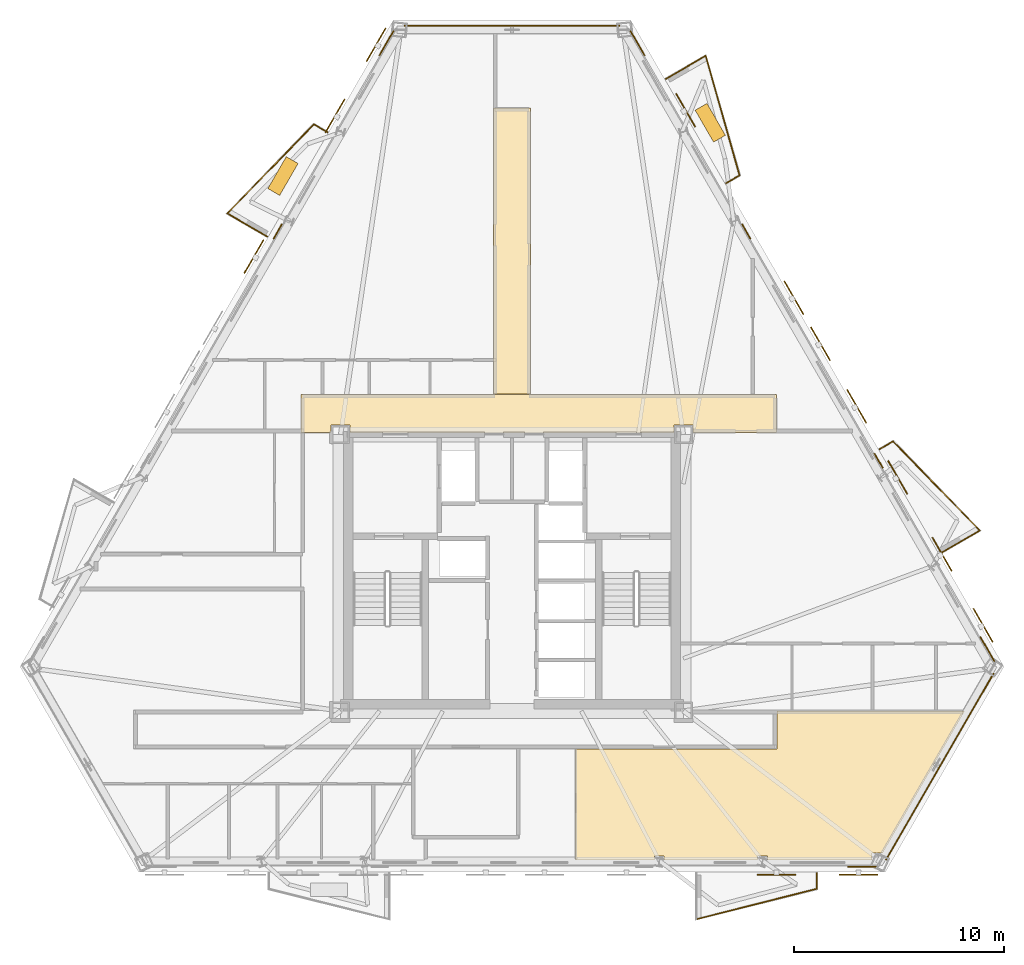
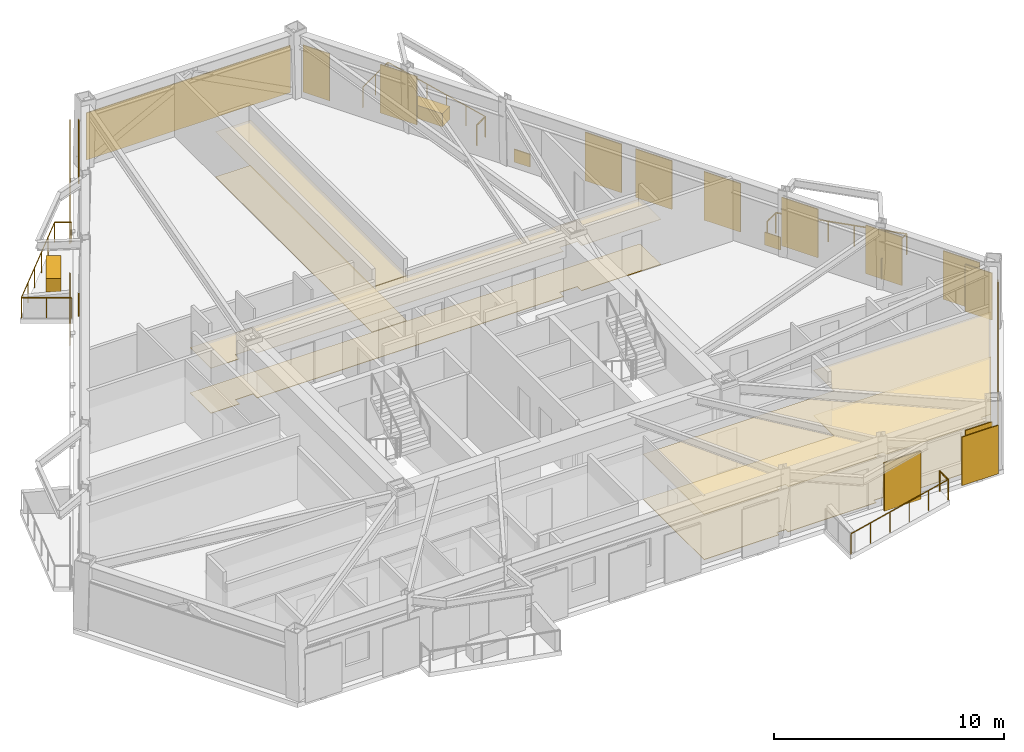
# One storey, part 9 of 9: 17 coverings, 12 shading devices, 11 railings.
"""IFC4 building model written with IfcOpenShell, lengths in metres."""

from ifc_helpers import new_model, si_unit, direction, frame, origin, origin_2d, place, context, subcontext, project, spatial, polyline, rectangle, circle, outline, extrude, material, layer, layer_set, type_object, element, save


model = new_model("IFC4")

# Units and contexts
model_context = context("Model", 3, precision=1e-05, world=origin(), true_north=direction((0.0, 1.0)))
body_context = subcontext(model_context, "Body", "Model", "MODEL_VIEW")
ifc_project = project(units=[si_unit("LENGTHUNIT", "METRE"), si_unit("AREAUNIT", "SQUARE_METRE"), si_unit("VOLUMEUNIT", "CUBIC_METRE"), si_unit("PLANEANGLEUNIT", "RADIAN"), si_unit("MASSUNIT", "GRAM", prefix="KILO")], contexts=[model_context])

# Site, building, storey
site_placement = place(None, origin())
site = spatial("IfcSite", under=ifc_project, at=site_placement, CompositionType="ELEMENT")
building_placement = place(site_placement, origin())
building = spatial("IfcBuilding", under=site, at=building_placement, Name="Oramaril Tower", CompositionType="ELEMENT")
storey_placement = place(building_placement, frame((0.0, 0.0, 123.0)))
storey = spatial("IfcBuildingStorey", under=building, at=storey_placement, Name="L32", CompositionType="ELEMENT", Elevation=123.0)

# Coverings
ifc_material_1 = material(Name="Mineral Fibre Acoustic Ceiling")
ifc_layer_1 = layer(ifc_material_1, 0.02001953125)
ifc_layer_set_1 = layer_set([ifc_layer_1], Name="CVT-CEIL")
covering_type_1 = type_object("IfcCoveringType", Name="CVT-CEIL", PredefinedType="CEILING", material=ifc_layer_set_1)
covering_1_placement = place(storey_placement, frame((0.0, 0.0, 2.39990234375)))
element("IfcCovering", 1, at=covering_1_placement, inside=storey, type_object=covering_type_1, Name="L32 Acoustic Suspended Ceiling 2", PredefinedType="CEILING", context=body_context, shape_type="SweptSolid", body=[
    extrude(outline(polyline([(50.080078125, 24.239990234375), (46.094970703125, 24.239990234375), (46.094970703125, 24.594970703125), (45.205078125, 24.594970703125), (45.205078125, 24.25), (29.794921875, 24.25), (29.794921875, 24.594970703125), (28.905029296875, 24.594970703125), (28.905029296875, 24.239990234375), (27.469970703125, 24.239990234375), (27.469970703125, 26.050048828125), (50.080078125, 26.050048828125), (50.080078125, 24.239990234375)])), origin(), (0.0, 0.0, 1.0), 0.02001953125),
])
covering_2_placement = place(storey_placement, frame((0.0, 0.0, 2.39990234375)))
element("IfcCovering", 2, at=covering_2_placement, inside=storey, type_object=covering_type_1, Name="L32 Acoustic Suspended Ceiling 4", PredefinedType="CEILING", context=body_context, shape_type="SweptSolid", body=[
    extrude(outline(polyline([(38.3798828125, 26.070068359375), (36.6201171875, 26.070068359375), (36.6201171875, 39.679931640625), (38.3798828125, 39.679931640625), (38.3798828125, 26.070068359375)])), origin(), (0.0, 0.0, 1.0), 0.02001953125),
])
covering_3_placement = place(storey_placement, frame((0.0, 0.0, 2.39990234375)))
element("IfcCovering", 3, at=covering_3_placement, inside=storey, type_object=covering_type_1, Name="L32 Acoustic Suspended Ceiling 7", PredefinedType="CEILING", context=body_context, shape_type="SweptSolid", body=[
    extrude(outline(polyline([(55.124267578125, 4.248291015625), (54.617919921875, 4.248291015625), (54.617919921875, 3.904052734375), (49.6396484375, 3.904052734375), (49.6396484375, 4.101318359375), (49.168701171875, 4.101318359375), (49.168701171875, 3.904052734375), (44.73291015625, 3.904052734375), (44.73291015625, 4.101318359375), (44.272216796875, 4.101318359375), (44.272216796875, 3.904052734375), (40.510498046875, 3.904052734375), (40.510498046875, 9.199951171875), (50.080078125, 9.199951171875), (50.08203125, 9.2001953125), (50.083984375, 9.200439453125), (50.085693359375, 9.200927734375), (50.087646484375, 9.201416015625), (50.08935546875, 9.202392578125), (50.091064453125, 9.203369140625), (50.0927734375, 9.20458984375), (50.093994140625, 9.205810546875), (50.095458984375, 9.207275390625), (50.0966796875, 9.208984375), (50.09765625, 9.210693359375), (50.098388671875, 9.21240234375), (50.09912109375, 9.214111328125), (50.099609375, 9.216064453125), (50.099853515625, 9.218017578125), (50.10009765625, 9.219970703125), (50.10009765625, 10.991943359375), (59.017578125, 10.991943359375), (55.124267578125, 4.248291015625)])), origin(), (0.0, 0.0, 1.0), 0.02001953125),
])
ifc_material_2 = material(Name="Warm Cream Limestone", Category="masonry")
ifc_layer_2 = layer(ifc_material_2, 0.050048828125)
ifc_layer_set_2 = layer_set([ifc_layer_2], Name="CVT-CLD")
covering_type_2 = type_object("IfcCoveringType", Name="CVT-CLD", PredefinedType="CLADDING", material=ifc_layer_set_2)
covering_4_placement = place(storey_placement, frame((54.1376953125, 3.60302734375, 0.0400390625), z_axis=(0.0, 0.0, 1.0), x_axis=(1.0, 0.0, 0.0)))
element("IfcCovering", 4, at=covering_4_placement, inside=storey, type_object=covering_type_2, Name="L32 Warm Cream Limestone Cladding", PredefinedType="CLADDING", context=body_context, shape_type="SweptSolid", body=[
    extrude(rectangle(XDim=1.35009765625, YDim=0.050048828125, at=origin_2d()), origin(), (0.0, 0.0, 1.0), 2.498046875),
])
covering_5_placement = place(storey_placement, frame((57.8427734375, 8.35498046875, 0.0400390625), z_axis=(0.0, 0.0, 1.0), x_axis=(0.500003022996, 0.86602365845, 0.0)))
element("IfcCovering", 5, at=covering_5_placement, inside=storey, type_object=covering_type_2, Name="L32 Warm Cream Limestone Cladding", PredefinedType="CLADDING", context=body_context, shape_type="SweptSolid", body=[
    extrude(rectangle(XDim=10.251220703125, YDim=0.050048828125, at=origin_2d()), origin(), (0.0, 0.0, 1.0), 2.498046875),
])
for number, where, z_axis, x_axis, name in (
    (6, (60.105712890625, 13.939697265625, 0.0400390625), (0.0, 0.0, 1.0), (-0.4999984885, 0.866026276448, 0.0), "L32 Warm Cream Limestone Cladding"),
    (7, (43.4677734375, 42.75732421875, 0.0400390625), (0.0, 0.0, 1.0), (-0.4999984885, 0.866026276448, 0.0), "L32 Warm Cream Limestone Cladding"),
):
    element("IfcCovering", number, at=place(storey_placement, frame(where, z_axis=z_axis, x_axis=x_axis)), inside=storey, type_object=covering_type_2, Name=name, PredefinedType="CLADDING", context=body_context, shape_type="SweptSolid", body=[
        extrude(rectangle(XDim=1.35009765625, YDim=0.050048828125, at=origin_2d()), origin(), (0.0, 0.0, 1.0), 2.498046875),
    ])
for number, where, z_axis, x_axis, name in (
    (8, (54.9345703125, 22.896240234375, 0.0400390625), (0.0, 0.0, 1.0), (-0.4999984885, 0.866026276448, 0.0), "L32 Warm Cream Limestone Spandrel Cladding"),
    (9, (48.638916015625, 33.800537109375, 0.0400390625), (0.0, 0.0, 1.0), (-0.4999984885, 0.866026276448, 0.0), "L32 Warm Cream Limestone Spandrel Cladding"),
):
    element("IfcCovering", number, at=place(storey_placement, frame(where, z_axis=z_axis, x_axis=x_axis)), inside=storey, type_object=covering_type_2, Name=name, PredefinedType="CLADDING", context=body_context, shape_type="SweptSolid", body=[
        extrude(rectangle(XDim=0.800048828125, YDim=0.050048828125, at=origin_2d()), origin(), (0.0, 0.0, 1.0), 0.679931640625),
    ])
covering_6_placement = place(storey_placement, frame((37.5, 43.58984375, 0.0400390625), z_axis=(0.0, 0.0, 1.0), x_axis=(-1.0, 0.0, 0.0)))
element("IfcCovering", 10, at=covering_6_placement, inside=storey, type_object=covering_type_2, Name="L32 Warm Cream Limestone Cladding", PredefinedType="CLADDING", context=body_context, shape_type="SweptSolid", body=[
    extrude(rectangle(XDim=10.25146484375, YDim=0.050048828125, at=origin_2d()), origin(), (0.0, 0.0, 1.0), 2.498046875),
])
covering_7_placement = place(storey_placement, frame((31.5322265625, 42.75732421875, 0.0400390625), z_axis=(0.0, 0.0, 1.0), x_axis=(-0.4999984885, -0.866026276448, 0.0)))
element("IfcCovering", 11, at=covering_7_placement, inside=storey, type_object=covering_type_2, Name="L32 Warm Cream Limestone Cladding", PredefinedType="CLADDING", context=body_context, shape_type="SweptSolid", body=[
    extrude(rectangle(XDim=1.35009765625, YDim=0.050048828125, at=origin_2d()), origin(), (0.0, 0.0, 1.0), 2.498046875),
])
covering_8_placement = place(storey_placement, frame((26.361083984375, 33.800537109375, 0.0400390625), z_axis=(0.0, 0.0, 1.0), x_axis=(-0.4999984885, -0.866026276448, 0.0)))
element("IfcCovering", 12, at=covering_8_placement, inside=storey, type_object=covering_type_2, Name="L32 Warm Cream Limestone Spandrel Cladding", PredefinedType="CLADDING", context=body_context, shape_type="SweptSolid", body=[
    extrude(rectangle(XDim=0.800048828125, YDim=0.050048828125, at=origin_2d()), origin(), (0.0, 0.0, 1.0), 0.679931640625),
])
for number, where, z_axis, x_axis, name in (
    (13, (46.92822265625, 38.970703125, 0.0), (0.0, 0.0, 1.0), (-0.4999984885, 0.866026276448, 0.0), "L32 Structural Tree Planter Box L32-BAL-NE2"),
    (14, (26.609130859375, 36.4375, 0.0), (0.0, 0.0, 1.0), (-0.4999984885, -0.866026276448, 0.0), "L32 Structural Tree Planter Box L32-BAL-NW1"),
):
    element("IfcCovering", number, at=place(storey_placement, frame(where, z_axis=z_axis, x_axis=x_axis)), inside=storey, type_object=covering_type_2, Name=name, PredefinedType="CLADDING", context=body_context, shape_type="SweptSolid", body=[
        extrude(rectangle(XDim=1.75, YDim=0.64990234375, at=origin_2d()), origin(), (0.0, 0.0, 1.0), 0.699951171875),
    ])
ifc_material_3 = material(Name="Honed Quartzite Stone Flooring", Category="masonry")
ifc_layer_3 = layer(ifc_material_3, 0.02490234375)
ifc_layer_set_3 = layer_set([ifc_layer_3], Name="CVT-FLR")
covering_type_3 = type_object("IfcCoveringType", Name="CVT-FLR", PredefinedType="FLOORING", material=ifc_layer_set_3)
covering_9_placement = place(storey_placement, origin())
element("IfcCovering", 15, at=covering_9_placement, inside=storey, type_object=covering_type_3, Name="L32 Honed Stone Floor Finish 2", PredefinedType="FLOORING", context=body_context, shape_type="SweptSolid", body=[
    extrude(outline(polyline([(50.080078125, 24.239990234375), (46.094970703125, 24.239990234375), (46.094970703125, 24.594970703125), (45.205078125, 24.594970703125), (45.205078125, 24.25), (29.794921875, 24.25), (29.794921875, 24.594970703125), (28.905029296875, 24.594970703125), (28.905029296875, 24.239990234375), (27.469970703125, 24.239990234375), (27.469970703125, 26.050048828125), (50.080078125, 26.050048828125), (50.080078125, 24.239990234375)])), origin(), (0.0, 0.0, 1.0), 0.02490234375),
])
covering_10_placement = place(storey_placement, origin())
element("IfcCovering", 16, at=covering_10_placement, inside=storey, type_object=covering_type_3, Name="L32 Honed Stone Floor Finish 4", PredefinedType="FLOORING", context=body_context, shape_type="SweptSolid", body=[
    extrude(outline(polyline([(38.3798828125, 26.070068359375), (36.6201171875, 26.070068359375), (36.6201171875, 39.679931640625), (38.3798828125, 39.679931640625), (38.3798828125, 26.070068359375)])), origin(), (0.0, 0.0, 1.0), 0.02490234375),
])
covering_11_placement = place(storey_placement, origin())
element("IfcCovering", 17, at=covering_11_placement, inside=storey, type_object=covering_type_3, Name="L32 Honed Stone Floor Finish 7", PredefinedType="FLOORING", context=body_context, shape_type="SweptSolid", body=[
    extrude(outline(polyline([(55.124267578125, 4.248291015625), (54.617919921875, 4.248291015625), (54.617919921875, 3.904052734375), (49.6396484375, 3.904052734375), (49.6396484375, 4.101318359375), (49.168701171875, 4.101318359375), (49.168701171875, 3.904052734375), (44.73291015625, 3.904052734375), (44.73291015625, 4.101318359375), (44.272216796875, 4.101318359375), (44.272216796875, 3.904052734375), (40.510498046875, 3.904052734375), (40.510498046875, 9.199951171875), (50.080078125, 9.199951171875), (50.08203125, 9.2001953125), (50.083984375, 9.200439453125), (50.085693359375, 9.200927734375), (50.087646484375, 9.201416015625), (50.08935546875, 9.202392578125), (50.091064453125, 9.203369140625), (50.0927734375, 9.20458984375), (50.093994140625, 9.205810546875), (50.095458984375, 9.207275390625), (50.0966796875, 9.208984375), (50.09765625, 9.210693359375), (50.098388671875, 9.21240234375), (50.09912109375, 9.214111328125), (50.099609375, 9.216064453125), (50.099853515625, 9.218017578125), (50.10009765625, 9.219970703125), (50.10009765625, 10.991943359375), (59.017578125, 10.991943359375), (55.124267578125, 4.248291015625)])), origin(), (0.0, 0.0, 1.0), 0.02490234375),
])

# Railings
ifc_material_4 = material(Name="Stainless Steel 316L", Category="steel")
railing_type = type_object("IfcRailingType", Name="RLT-GRD", PredefinedType="GUARDRAIL", material=ifc_material_4)
railing_1_placement = place(storey_placement, frame((51.993408203125, 3.2880859375, 0.0)))
element("IfcRailing", 18, at=railing_1_placement, inside=storey, type_object=railing_type, Name="L32 Balcony Guardrail L32-BAL-S2.1", PredefinedType="GUARDRAIL", context=body_context, shape_type="SweptSolid", body=[
    extrude(circle(Radius=0.02392578125, at=origin_2d()), frame((0.0, 0.0, 1.076171875), z_axis=(0.0, -1.0, 0.0), x_axis=(1.0, 0.0, 0.0)), (0.0, 0.0, 1.0), 0.741943359375),
    extrude(circle(Radius=0.02099609375, at=origin_2d()), origin(), (0.0, 0.0, 1.0), 1.052001953125),
    extrude(circle(Radius=0.02099609375, at=origin_2d()), frame((0.0, -0.741943359375, 0.0)), (0.0, 0.0, 1.0), 1.052001953125),
])
railing_2_placement = place(storey_placement, frame((51.993408203125, 2.546142578125, 0.0)))
element("IfcRailing", 19, at=railing_2_placement, inside=storey, type_object=railing_type, Name="L32 Balcony Guardrail L32-BAL-S2.2", PredefinedType="GUARDRAIL", context=body_context, shape_type="SweptSolid", body=[
    extrude(circle(Radius=0.02392578125, at=origin_2d()), frame((0.0, 0.0, 1.076171875), z_axis=(-0.969443611257, -0.245314256807, 0.0), x_axis=(0.245314256807, -0.969443611257, 0.0)), (0.0, 0.0, 1.0), 5.91064453125),
    extrude(circle(Radius=0.02099609375, at=origin_2d()), origin(), (0.0, 0.0, 1.0), 1.052001953125),
    extrude(circle(Radius=0.02099609375, at=origin_2d()), frame((-1.14599609375, -0.2900390625, 0.0)), (0.0, 0.0, 1.0), 1.052001953125),
    extrude(circle(Radius=0.02099609375, at=origin_2d()), frame((-2.2919921875, -0.580078125, 0.0)), (0.0, 0.0, 1.0), 1.052001953125),
    extrude(circle(Radius=0.02099609375, at=origin_2d()), frame((-3.43798828125, -0.869873046875, 0.0)), (0.0, 0.0, 1.0), 1.052001953125),
    extrude(circle(Radius=0.02099609375, at=origin_2d()), frame((-4.583984375, -1.159912109375, 0.0)), (0.0, 0.0, 1.0), 1.052001953125),
    extrude(circle(Radius=0.02099609375, at=origin_2d()), frame((-5.72998046875, -1.449951171875, 0.0)), (0.0, 0.0, 1.0), 1.052001953125),
])
railing_3_placement = place(storey_placement, frame((54.978759765625, 23.44970703125, 0.0)))
element("IfcRailing", 20, at=railing_3_placement, inside=storey, type_object=railing_type, Name="L32 Balcony Guardrail L32-BAL-NE1.1", PredefinedType="GUARDRAIL", context=body_context, shape_type="SweptSolid", body=[
    extrude(circle(Radius=0.02392578125, at=origin_2d()), frame((0.0, 0.0, 1.076171875), z_axis=(0.865966403178, 0.500102178127, 0.0), x_axis=(-0.500102178127, 0.865966403178, 0.0)), (0.0, 0.0, 1.0), 0.741943359375),
    extrude(circle(Radius=0.02099609375, at=origin_2d()), origin(), (0.0, 0.0, 1.0), 1.052001953125),
    extrude(circle(Radius=0.02099609375, at=origin_2d()), frame((0.642578125, 0.37109375, 0.0)), (0.0, 0.0, 1.0), 1.052001953125),
])
railing_4_placement = place(storey_placement, frame((55.621337890625, 23.82080078125, 0.0)))
element("IfcRailing", 21, at=railing_4_placement, inside=storey, type_object=railing_type, Name="L32 Balcony Guardrail L32-BAL-NE1.2", PredefinedType="GUARDRAIL", context=body_context, shape_type="SweptSolid", body=[
    extrude(circle(Radius=0.02392578125, at=origin_2d()), frame((0.0, 0.0, 1.076171875), z_axis=(0.697186915353, -0.716889395277, 0.0), x_axis=(0.716889395277, 0.697186915353, 0.0)), (0.0, 0.0, 1.0), 5.91064453125),
    extrude(circle(Radius=0.02099609375, at=origin_2d()), origin(), (0.0, 0.0, 1.0), 1.052001953125),
    extrude(circle(Radius=0.02099609375, at=origin_2d()), frame((0.82421875, -0.847412109375, 0.0)), (0.0, 0.0, 1.0), 1.052001953125),
    extrude(circle(Radius=0.02099609375, at=origin_2d()), frame((1.6484375, -1.69482421875, 0.0)), (0.0, 0.0, 1.0), 1.052001953125),
    extrude(circle(Radius=0.02099609375, at=origin_2d()), frame((2.472412109375, -2.54248046875, 0.0)), (0.0, 0.0, 1.0), 1.052001953125),
    extrude(circle(Radius=0.02099609375, at=origin_2d()), frame((3.296630859375, -3.389892578125, 0.0)), (0.0, 0.0, 1.0), 1.052001953125),
    extrude(circle(Radius=0.02099609375, at=origin_2d()), frame((4.120849609375, -4.2373046875, 0.0)), (0.0, 0.0, 1.0), 1.052001953125),
])
railing_5_placement = place(storey_placement, frame((59.7421875, 19.58349609375, 0.0)))
element("IfcRailing", 22, at=railing_5_placement, inside=storey, type_object=railing_type, Name="L32 Balcony Guardrail L32-BAL-NE1.3", PredefinedType="GUARDRAIL", context=body_context, shape_type="SweptSolid", body=[
    extrude(circle(Radius=0.02392578125, at=origin_2d()), frame((0.0, 0.0, 1.076171875), z_axis=(-0.866000118559, -0.500043792738, 0.0), x_axis=(0.500043792738, -0.866000118559, 0.0)), (0.0, 0.0, 1.0), 2.192138671875),
    extrude(circle(Radius=0.02099609375, at=origin_2d()), origin(), (0.0, 0.0, 1.0), 1.052001953125),
    extrude(circle(Radius=0.02099609375, at=origin_2d()), frame((-0.94921875, -0.548095703125, 0.0)), (0.0, 0.0, 1.0), 1.052001953125),
    extrude(circle(Radius=0.02099609375, at=origin_2d()), frame((-1.8984375, -1.09619140625, 0.0)), (0.0, 0.0, 1.0), 1.052001953125),
])
railing_6_placement = place(storey_placement, frame((44.81298828125, 41.0576171875, 0.0)))
element("IfcRailing", 23, at=railing_6_placement, inside=storey, type_object=railing_type, Name="L32 Balcony Guardrail L32-BAL-NE2.1", PredefinedType="GUARDRAIL", context=body_context, shape_type="SweptSolid", body=[
    extrude(circle(Radius=0.02392578125, at=origin_2d()), frame((0.0, 0.0, 1.076171875), z_axis=(0.866020500697, 0.5000084923, 0.0), x_axis=(-0.5000084923, 0.866020500697, 0.0)), (0.0, 0.0, 1.0), 2.19189453125),
    extrude(circle(Radius=0.02099609375, at=origin_2d()), origin(), (0.0, 0.0, 1.0), 1.052001953125),
    extrude(circle(Radius=0.02099609375, at=origin_2d()), frame((0.94921875, 0.5478515625, 0.0)), (0.0, 0.0, 1.0), 1.052001953125),
    extrude(circle(Radius=0.02099609375, at=origin_2d()), frame((1.898193359375, 1.095947265625, 0.0)), (0.0, 0.0, 1.0), 1.052001953125),
])
railing_7_placement = place(storey_placement, frame((46.711181640625, 42.153564453125, 0.0)))
element("IfcRailing", 24, at=railing_7_placement, inside=storey, type_object=railing_type, Name="L32 Balcony Guardrail L32-BAL-NE2.2", PredefinedType="GUARDRAIL", context=body_context, shape_type="SweptSolid", body=[
    extrude(circle(Radius=0.02392578125, at=origin_2d()), frame((0.0, 0.0, 1.076171875), z_axis=(0.27224886544, -0.962226873074, 0.0), x_axis=(0.962226873074, 0.27224886544, 0.0)), (0.0, 0.0, 1.0), 5.910400390625),
    extrude(circle(Radius=0.02099609375, at=origin_2d()), origin(), (0.0, 0.0, 1.0), 1.052001953125),
    extrude(circle(Radius=0.02099609375, at=origin_2d()), frame((0.32177734375, -1.137451171875, 0.0)), (0.0, 0.0, 1.0), 1.052001953125),
    extrude(circle(Radius=0.02099609375, at=origin_2d()), frame((0.6435546875, -2.27490234375, 0.0)), (0.0, 0.0, 1.0), 1.052001953125),
    extrude(circle(Radius=0.02099609375, at=origin_2d()), frame((0.965576171875, -3.412353515625, 0.0)), (0.0, 0.0, 1.0), 1.052001953125),
    extrude(circle(Radius=0.02099609375, at=origin_2d()), frame((1.287353515625, -4.5498046875, 0.0)), (0.0, 0.0, 1.0), 1.052001953125),
    extrude(circle(Radius=0.02099609375, at=origin_2d()), frame((1.609130859375, -5.687255859375, 0.0)), (0.0, 0.0, 1.0), 1.052001953125),
])
railing_8_placement = place(storey_placement, frame((48.3203125, 36.46630859375, 0.0)))
element("IfcRailing", 25, at=railing_8_placement, inside=storey, type_object=railing_type, Name="L32 Balcony Guardrail L32-BAL-NE2.3", PredefinedType="GUARDRAIL", context=body_context, shape_type="SweptSolid", body=[
    extrude(circle(Radius=0.02392578125, at=origin_2d()), frame((0.0, 0.0, 1.076171875), z_axis=(-0.866026623601, -0.49999788721, 0.0), x_axis=(0.49999788721, -0.866026623601, 0.0)), (0.0, 0.0, 1.0), 0.74169921875),
    extrude(circle(Radius=0.02099609375, at=origin_2d()), origin(), (0.0, 0.0, 1.0), 1.052001953125),
    extrude(circle(Radius=0.02099609375, at=origin_2d()), frame((-0.642333984375, -0.370849609375, 0.0)), (0.0, 0.0, 1.0), 1.052001953125),
])
railing_9_placement = place(storey_placement, frame((25.859619140625, 33.562255859375, 0.0)))
element("IfcRailing", 26, at=railing_9_placement, inside=storey, type_object=railing_type, Name="L32 Balcony Guardrail L32-BAL-NW1.1", PredefinedType="GUARDRAIL", context=body_context, shape_type="SweptSolid", body=[
    extrude(circle(Radius=0.02392578125, at=origin_2d()), frame((0.0, 0.0, 1.076171875), z_axis=(-0.866048343933, 0.499960264392, 0.0), x_axis=(-0.499960264392, -0.866048343933, 0.0)), (0.0, 0.0, 1.0), 2.192138671875),
    extrude(circle(Radius=0.02099609375, at=origin_2d()), origin(), (0.0, 0.0, 1.0), 1.052001953125),
    extrude(circle(Radius=0.02099609375, at=origin_2d()), frame((-0.94921875, 0.5478515625, 0.0)), (0.0, 0.0, 1.0), 1.052001953125),
    extrude(circle(Radius=0.02099609375, at=origin_2d()), frame((-1.8984375, 1.095947265625, 0.0)), (0.0, 0.0, 1.0), 1.052001953125),
])
railing_10_placement = place(storey_placement, frame((23.961181640625, 34.658203125, 0.0)))
element("IfcRailing", 27, at=railing_10_placement, inside=storey, type_object=railing_type, Name="L32 Balcony Guardrail L32-BAL-NW1.2", PredefinedType="GUARDRAIL", context=body_context, shape_type="SweptSolid", body=[
    extrude(circle(Radius=0.02392578125, at=origin_2d()), frame((0.0, 0.0, 1.076171875), z_axis=(0.697186915353, 0.716889395277, 0.0), x_axis=(-0.716889395277, 0.697186915353, 0.0)), (0.0, 0.0, 1.0), 5.91064453125),
    extrude(circle(Radius=0.02099609375, at=origin_2d()), origin(), (0.0, 0.0, 1.0), 1.052001953125),
    extrude(circle(Radius=0.02099609375, at=origin_2d()), frame((0.82421875, 0.847412109375, 0.0)), (0.0, 0.0, 1.0), 1.052001953125),
    extrude(circle(Radius=0.02099609375, at=origin_2d()), frame((1.6484375, 1.69482421875, 0.0)), (0.0, 0.0, 1.0), 1.052001953125),
    extrude(circle(Radius=0.02099609375, at=origin_2d()), frame((2.472412109375, 2.54248046875, 0.0)), (0.0, 0.0, 1.0), 1.052001953125),
    extrude(circle(Radius=0.02099609375, at=origin_2d()), frame((3.296630859375, 3.389892578125, 0.0)), (0.0, 0.0, 1.0), 1.052001953125),
    extrude(circle(Radius=0.02099609375, at=origin_2d()), frame((4.120849609375, 4.2373046875, 0.0)), (0.0, 0.0, 1.0), 1.052001953125),
])
railing_11_placement = place(storey_placement, frame((28.08203125, 38.8955078125, 0.0)))
element("IfcRailing", 28, at=railing_11_placement, inside=storey, type_object=railing_type, Name="L32 Balcony Guardrail L32-BAL-NW1.3", PredefinedType="GUARDRAIL", context=body_context, shape_type="SweptSolid", body=[
    extrude(circle(Radius=0.02392578125, at=origin_2d()), frame((0.0, 0.0, 1.076171875), z_axis=(0.865966403178, -0.500102178127, 0.0), x_axis=(0.500102178127, 0.865966403178, 0.0)), (0.0, 0.0, 1.0), 0.741943359375),
    extrude(circle(Radius=0.02099609375, at=origin_2d()), origin(), (0.0, 0.0, 1.0), 1.052001953125),
    extrude(circle(Radius=0.02099609375, at=origin_2d()), frame((0.642578125, -0.37109375, 0.0)), (0.0, 0.0, 1.0), 1.052001953125),
])

# Shading devices
for number, where, z_axis, x_axis, name in (
    (29, (50.070556640625, 3.216064453125, -0.02001953125), (0.0, 0.0, 1.0), (1.0, 0.0, 0.0), "L32 Perforated Ceramic Solar Screen"),
    (30, (53.970703125, 3.216064453125, -0.02001953125), (0.0, 0.0, 1.0), (1.0, 0.0, 0.0), "L32 Perforated Ceramic Solar Screen"),
    (31, (59.898193359375, 15.07275390625, -0.02001953125), (0.0, 0.0, 1.0), (-0.4999984885, 0.866026276448, 0.0), "L32 Perforated Ceramic Solar Screen"),
    (32, (57.9482421875, 18.4501953125, -0.02001953125), (0.0, 0.0, 1.0), (-0.4999984885, 0.866026276448, 0.0), "L32 Perforated Ceramic Solar Screen"),
    (33, (55.838134765625, 22.105224609375, -0.02001953125), (0.0, 0.0, 1.0), (-0.4999984885, 0.866026276448, 0.0), "L32 Perforated Ceramic Solar Screen"),
    (34, (53.88818359375, 25.48291015625, -0.02001953125), (0.0, 0.0, 1.0), (-0.4999984885, 0.866026276448, 0.0), "L32 Perforated Ceramic Solar Screen"),
    (35, (45.7578125, 39.56494140625, -0.02001953125), (0.0, 0.0, 1.0), (-0.4999984885, 0.866026276448, 0.0), "L32 Perforated Ceramic Solar Screen"),
    (36, (52.16650390625, 28.46484375, -0.02001953125), (0.0, 0.0, 1.0), (-0.4999984885, 0.866026276448, 0.0), "L32 Perforated Ceramic Solar Screen"),
    (37, (50.904052734375, 30.6513671875, -0.02001953125), (0.0, 0.0, 1.0), (-0.4999984885, 0.866026276448, 0.0), "L32 Perforated Ceramic Solar Screen"),
    (38, (31.039306640625, 42.677734375, -0.02001953125), (0.0, 0.0, 1.0), (-0.4999984885, -0.866026276448, 0.0), "L32 Perforated Ceramic Solar Screen"),
    (39, (29.08935546875, 39.30029296875, -0.02001953125), (0.0, 0.0, 1.0), (-0.4999984885, -0.866026276448, 0.0), "L32 Perforated Ceramic Solar Screen"),
    (40, (25.225830078125, 32.6083984375, -0.02001953125), (0.0, 0.0, 1.0), (-0.4999984885, -0.866026276448, 0.0), "L32 Perforated Ceramic Solar Screen"),
):
    element("IfcShadingDevice", number, at=place(storey_placement, frame(where, z_axis=z_axis, x_axis=x_axis)), inside=storey, Name=name, ObjectType="SCREEN", PredefinedType="USERDEFINED", context=body_context, shape_type="SweptSolid", body=[
        extrude(rectangle(XDim=1.8330078125, YDim=0.050048828125, at=origin_2d()), origin(), (0.0, 0.0, 1.0), 2.577880859375),
    ])

save(model, "model.ifc")
